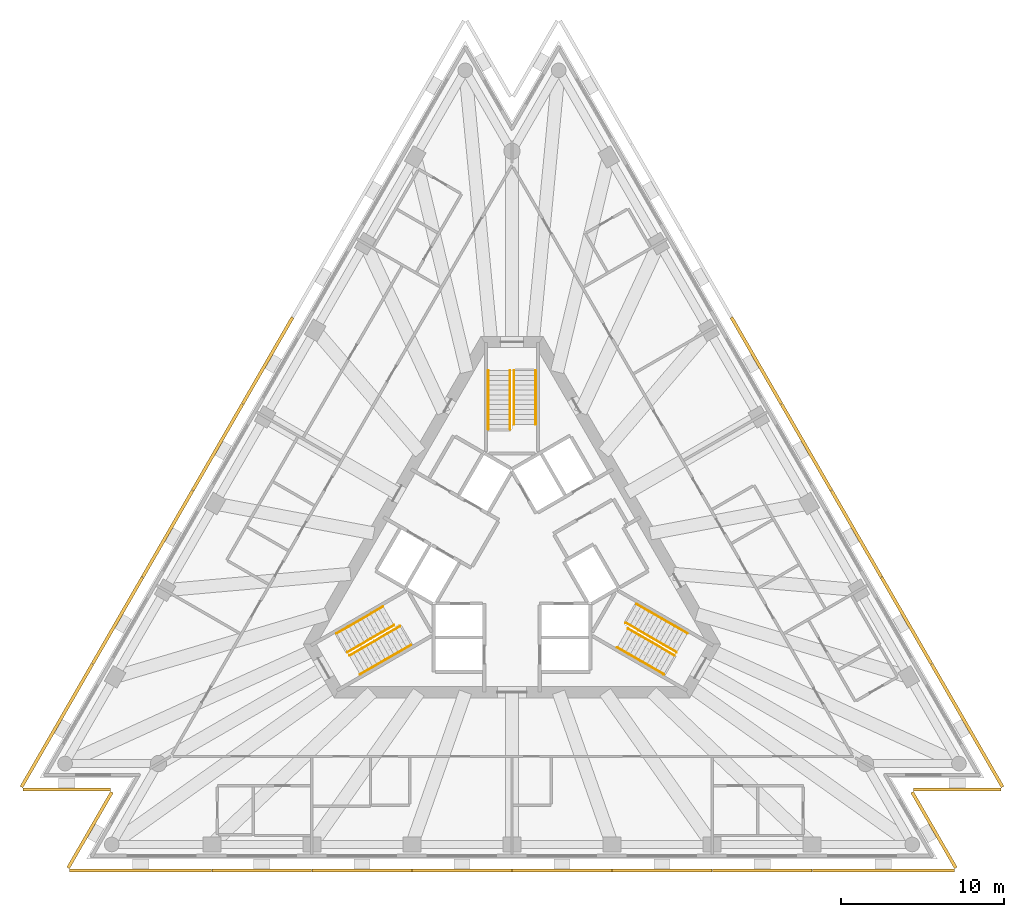
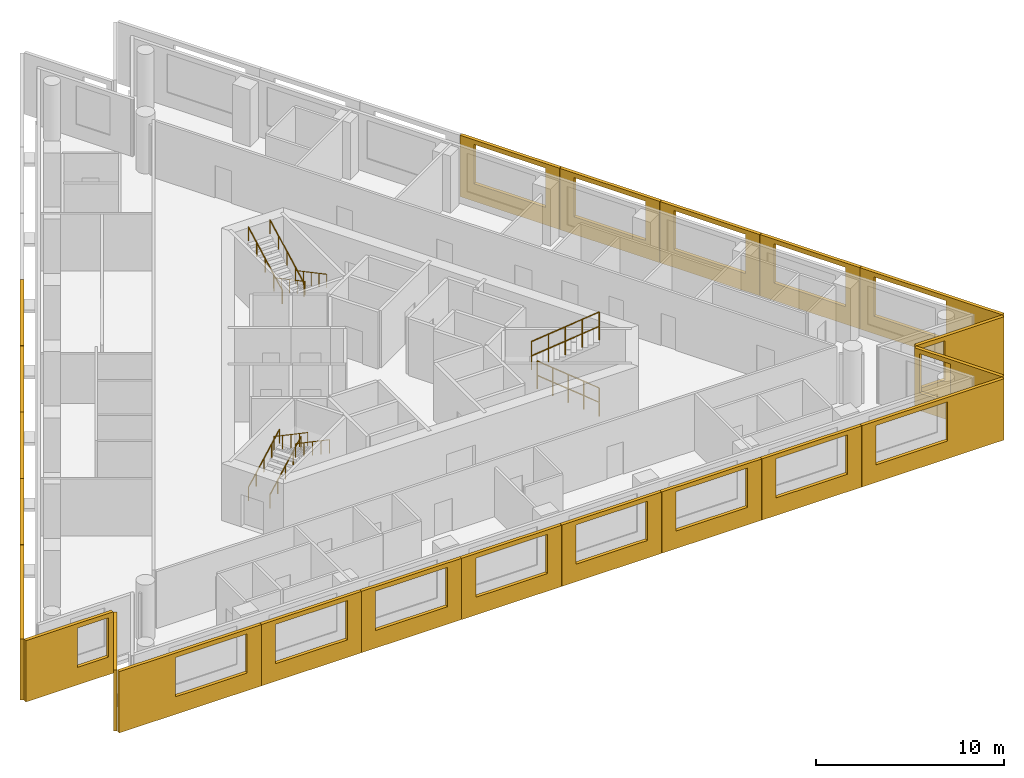
# One storey, part 8 of 9: 22 shading devices, 12 railings, 3 elements without a shape of their own.
"""IFC4 building model written with IfcOpenShell, lengths in metres."""

from ifc_helpers import new_model, si_unit, direction, frame, origin, origin_2d, place, context, subcontext, project, spatial, polyline, circle, outline, extrude, material, layer, layer_set, type_object, element, aggregate, save


model = new_model("IFC4")

# Units and contexts
model_context = context("Model", 3, precision=1e-05, world=origin(), true_north=direction((0.0, 1.0)))
body_context = subcontext(model_context, "Body", "Model", "MODEL_VIEW")
ifc_project = project(units=[si_unit("LENGTHUNIT", "METRE"), si_unit("AREAUNIT", "SQUARE_METRE"), si_unit("VOLUMEUNIT", "CUBIC_METRE"), si_unit("PLANEANGLEUNIT", "RADIAN"), si_unit("MASSUNIT", "GRAM", prefix="KILO")], contexts=[model_context])

# Site, building, storey
site_placement = place(None, origin())
site = spatial("IfcSite", under=ifc_project, at=site_placement, CompositionType="ELEMENT")
building_placement = place(site_placement, origin())
building = spatial("IfcBuilding", under=site, at=building_placement, Name="Triada Interchange Tower", CompositionType="ELEMENT")
storey_placement = place(building_placement, frame((0.0, 0.0, 207.300048828125)))
storey = spatial("IfcBuildingStorey", under=building, at=storey_placement, Name="L48", CompositionType="ELEMENT", Elevation=207.300048828125)

# Shading devices
ifc_material_1 = material(Name="Concrete C50/60 precast", Category="concrete")
ifc_layer_1 = layer(ifc_material_1, 0.02001953125, Name="Exposed aggregate face")
ifc_layer_2 = layer(ifc_material_1, 0.179931640625, Name="Precast concrete screen")
ifc_layer_set = layer_set([ifc_layer_1, ifc_layer_2], Name="Outer skin screen panel 3980")
shading_device_type = type_object("IfcShadingDeviceType", Name="Outer skin screen panel 3980", PredefinedType="SHUTTER", material=ifc_layer_set)
shading_device_1_placement = place(storey_placement, frame((-13.388916015625, 14.81298828125, -0.2900390625), z_axis=(0.0, 0.0, 1.0), x_axis=(-0.500160695909, -0.865932606077, 0.0)))
element("IfcShadingDevice", 1, at=shading_device_1_placement, inside=storey, type_object=shading_device_type, Name="Outer skin screen panel L48 04", PredefinedType="SHUTTER", context=body_context, shape_type="SweptSolid", body=[
    extrude(outline(polyline([(0.0, 0.0), (6.1240234375, 0.0), (6.1240234375, 3.97998046875), (0.0, 3.97998046875), (0.0, 0.0)]), holes=[polyline([(0.862060546875, 1.139892578125), (0.862060546875, 3.68994140625), (5.261962890625, 3.68994140625), (5.261962890625, 1.139892578125), (0.862060546875, 1.139892578125)])]), frame((0.0, 0.0, 0.0), z_axis=(0.0, -1.0, 0.0), x_axis=(1.0, 0.0, 0.0)), (0.0, 0.0, 1.0), 0.199951171875),
])
shading_device_2_placement = place(storey_placement, frame((-16.4619140625, 9.491943359375, -0.2900390625), z_axis=(0.0, 0.0, 1.0), x_axis=(-0.500041108788, -0.866001668314, 0.0)))
element("IfcShadingDevice", 2, at=shading_device_2_placement, inside=storey, type_object=shading_device_type, Name="Outer skin screen panel L48 05", PredefinedType="SHUTTER", context=body_context, shape_type="SweptSolid", body=[
    extrude(outline(polyline([(0.0, 0.0), (6.12353515625, 0.0), (6.12353515625, 3.97998046875), (0.0, 3.97998046875), (0.0, 0.0)]), holes=[polyline([(0.86181640625, 1.139892578125), (0.86181640625, 3.68994140625), (5.26171875, 3.68994140625), (5.26171875, 1.139892578125), (0.86181640625, 1.139892578125)])]), frame((0.0, 0.0, 0.0), z_axis=(0.0, -1.0, 0.0), x_axis=(1.0, 0.0, 0.0)), (0.0, 0.0, 1.0), 0.199951171875),
])
shading_device_3_placement = place(storey_placement, frame((-19.533935546875, 4.1708984375, -0.2900390625), z_axis=(0.0, 0.0, 1.0), x_axis=(-0.500041108788, -0.866001668314, 0.0)))
element("IfcShadingDevice", 3, at=shading_device_3_placement, inside=storey, type_object=shading_device_type, Name="Outer skin screen panel L48 06", PredefinedType="SHUTTER", context=body_context, shape_type="SweptSolid", body=[
    extrude(outline(polyline([(0.0, 0.0), (6.12353515625, 0.0), (6.12353515625, 3.97998046875), (0.0, 3.97998046875), (0.0, 0.0)]), holes=[polyline([(0.861572265625, 1.139892578125), (0.861572265625, 3.68994140625), (5.26171875, 3.68994140625), (5.26171875, 1.139892578125), (0.861572265625, 1.139892578125)])]), frame((0.0, 0.0, 0.0), z_axis=(0.0, -1.0, 0.0), x_axis=(1.0, 0.0, 0.0)), (0.0, 0.0, 1.0), 0.199951171875),
])
shading_device_4_placement = place(storey_placement, frame((-22.60595703125, -1.14990234375, -0.2900390625), z_axis=(0.0, 0.0, 1.0), x_axis=(-0.500041108788, -0.866001668314, 0.0)))
element("IfcShadingDevice", 4, at=shading_device_4_placement, inside=storey, type_object=shading_device_type, Name="Outer skin screen panel L48 07", PredefinedType="SHUTTER", context=body_context, shape_type="SweptSolid", body=[
    extrude(outline(polyline([(0.0, 0.0), (6.12353515625, 0.0), (6.12353515625, 3.97998046875), (0.0, 3.97998046875), (0.0, 0.0)]), holes=[polyline([(0.8623046875, 1.139892578125), (0.8623046875, 3.68994140625), (5.262451171875, 3.68994140625), (5.262451171875, 1.139892578125), (0.8623046875, 1.139892578125)])]), frame((0.0, 0.0, 0.0), z_axis=(0.0, -1.0, 0.0), x_axis=(1.0, 0.0, 0.0)), (0.0, 0.0, 1.0), 0.199951171875),
])
shading_device_5_placement = place(storey_placement, frame((-25.677978515625, -6.470947265625, -0.2900390625), z_axis=(0.0, 0.0, 1.0), x_axis=(-0.500031800419, -0.866007043025, 0.0)))
element("IfcShadingDevice", 5, at=shading_device_5_placement, inside=storey, type_object=shading_device_type, Name="Outer skin screen panel L48 08", PredefinedType="SHUTTER", context=body_context, shape_type="SweptSolid", body=[
    extrude(outline(polyline([(0.0, 0.0), (8.7216796875, 0.0), (8.7216796875, 3.97998046875), (0.0, 3.97998046875), (0.0, 0.0)]), holes=[polyline([(0.8623046875, 1.139892578125), (0.8623046875, 3.68994140625), (5.26220703125, 3.68994140625), (5.26220703125, 1.139892578125), (0.8623046875, 1.139892578125)])]), frame((0.0, 0.0, 0.0), z_axis=(0.0, -1.0, 0.0), x_axis=(1.0, 0.0, 0.0)), (0.0, 0.0, 1.0), 0.199951171875),
])
shading_device_6_placement = place(storey_placement, frame((-30.033935546875, -14.032958984375, -0.2900390625), z_axis=(0.0, 0.0, 1.0), x_axis=(1.0, 0.0, 0.0)))
element("IfcShadingDevice", 6, at=shading_device_6_placement, inside=storey, type_object=shading_device_type, Name="Outer skin screen panel L48 09", PredefinedType="SHUTTER", context=body_context, shape_type="SweptSolid", body=[
    extrude(outline(polyline([(0.0, 0.0), (5.370849609375, 0.0), (5.370849609375, 3.97998046875), (0.0, 3.97998046875), (0.0, 0.0)]), holes=[polyline([(3.175048828125, 1.139892578125), (3.175048828125, 3.68994140625), (5.071044921875, 3.68994140625), (5.071044921875, 1.139892578125), (3.175048828125, 1.139892578125)])]), frame((0.0, 0.0, 0.0), z_axis=(0.0, -1.0, 0.0), x_axis=(1.0, 0.0, 0.0)), (0.0, 0.0, 1.0), 0.199951171875),
])
shading_device_7_placement = place(storey_placement, frame((-24.485107421875, -14.342041015625, -0.2900390625), z_axis=(0.0, 0.0, 1.0), x_axis=(-0.499948082557, -0.866055376259, 0.0)))
element("IfcShadingDevice", 7, at=shading_device_7_placement, inside=storey, type_object=shading_device_type, Name="Outer skin screen panel L48 10", PredefinedType="SHUTTER", context=body_context, shape_type="SweptSolid", body=[
    extrude(outline(polyline([(0.0, 0.0), (5.3701171875, 0.0), (5.3701171875, 3.97998046875), (0.0, 3.97998046875), (0.0, 0.0)]), holes=[polyline([(0.300048828125, 1.139892578125), (0.300048828125, 3.68994140625), (1.7578125, 3.68994140625), (1.7578125, 1.139892578125), (0.300048828125, 1.139892578125)])]), frame((0.0, 0.0, 0.0), z_axis=(0.0, -1.0, 0.0), x_axis=(1.0, 0.0, 0.0)), (0.0, 0.0, 1.0), 0.199951171875),
])
shading_device_8_placement = place(storey_placement, frame((-27.1650390625, -19.001953125, -0.2900390625), z_axis=(0.0, 0.0, 1.0), x_axis=(1.0, 0.0, 0.0)))
element("IfcShadingDevice", 8, at=shading_device_8_placement, inside=storey, type_object=shading_device_type, Name="Outer skin screen panel L48 11", PredefinedType="SHUTTER", context=body_context, shape_type="SweptSolid", body=[
    extrude(outline(polyline([(0.0, 0.0), (8.721923828125, 0.0), (8.721923828125, 3.97998046875), (0.0, 3.97998046875), (0.0, 0.0)]), holes=[polyline([(3.4599609375, 1.139892578125), (3.4599609375, 3.68994140625), (7.860107421875, 3.68994140625), (7.860107421875, 1.139892578125), (3.4599609375, 1.139892578125)])]), frame((0.0, 0.0, 0.0), z_axis=(0.0, -1.0, 0.0), x_axis=(1.0, 0.0, 0.0)), (0.0, 0.0, 1.0), 0.199951171875),
])
shading_device_9_placement = place(storey_placement, frame((-18.423095703125, -19.001953125, -0.2900390625), z_axis=(0.0, 0.0, 1.0), x_axis=(1.0, 0.0, 0.0)))
element("IfcShadingDevice", 9, at=shading_device_9_placement, inside=storey, type_object=shading_device_type, Name="Outer skin screen panel L48 12", PredefinedType="SHUTTER", context=body_context, shape_type="SweptSolid", body=[
    extrude(outline(polyline([(0.0, 0.0), (6.125, 0.0), (6.125, 3.97998046875), (0.0, 3.97998046875), (0.0, 0.0)]), holes=[polyline([(0.86181640625, 1.139892578125), (0.86181640625, 3.68994140625), (5.26171875, 3.68994140625), (5.26171875, 1.139892578125), (0.86181640625, 1.139892578125)])]), frame((0.0, 0.0, 0.0), z_axis=(0.0, -1.0, 0.0), x_axis=(1.0, 0.0, 0.0)), (0.0, 0.0, 1.0), 0.199951171875),
])
shading_device_10_placement = place(storey_placement, frame((-12.279052734375, -19.001953125, -0.2900390625), z_axis=(0.0, 0.0, 1.0), x_axis=(1.0, 0.0, 0.0)))
element("IfcShadingDevice", 10, at=shading_device_10_placement, inside=storey, type_object=shading_device_type, Name="Outer skin screen panel L48 13", PredefinedType="SHUTTER", context=body_context, shape_type="SweptSolid", body=[
    extrude(outline(polyline([(0.0, 0.0), (6.125, 0.0), (6.125, 3.97998046875), (0.0, 3.97998046875), (0.0, 0.0)]), holes=[polyline([(0.862548828125, 1.139892578125), (0.862548828125, 3.68994140625), (5.262451171875, 3.68994140625), (5.262451171875, 1.139892578125), (0.862548828125, 1.139892578125)])]), frame((0.0, 0.0, 0.0), z_axis=(0.0, -1.0, 0.0), x_axis=(1.0, 0.0, 0.0)), (0.0, 0.0, 1.0), 0.199951171875),
])
shading_device_11_placement = place(storey_placement, frame((-6.134033203125, -19.001953125, -0.2900390625), z_axis=(0.0, 0.0, 1.0), x_axis=(1.0, 0.0, 0.0)))
element("IfcShadingDevice", 11, at=shading_device_11_placement, inside=storey, type_object=shading_device_type, Name="Outer skin screen panel L48 14", PredefinedType="SHUTTER", context=body_context, shape_type="SweptSolid", body=[
    extrude(outline(polyline([(0.0, 0.0), (6.1240234375, 0.0), (6.1240234375, 3.97998046875), (0.0, 3.97998046875), (0.0, 0.0)]), holes=[polyline([(0.8623046875, 1.139892578125), (0.8623046875, 3.68994140625), (5.26220703125, 3.68994140625), (5.26220703125, 1.139892578125), (0.8623046875, 1.139892578125)])]), frame((0.0, 0.0, 0.0), z_axis=(0.0, -1.0, 0.0), x_axis=(1.0, 0.0, 0.0)), (0.0, 0.0, 1.0), 0.199951171875),
])
shading_device_12_placement = place(storey_placement, frame((0.010009765625, -19.001953125, -0.2900390625), z_axis=(0.0, 0.0, 1.0), x_axis=(1.0, 0.0, 0.0)))
element("IfcShadingDevice", 12, at=shading_device_12_placement, inside=storey, type_object=shading_device_type, Name="Outer skin screen panel L48 15", PredefinedType="SHUTTER", context=body_context, shape_type="SweptSolid", body=[
    extrude(outline(polyline([(0.0, 0.0), (6.1240234375, 0.0), (6.1240234375, 3.97998046875), (0.0, 3.97998046875), (0.0, 0.0)]), holes=[polyline([(0.862060546875, 1.139892578125), (0.862060546875, 3.68994140625), (5.261962890625, 3.68994140625), (5.261962890625, 1.139892578125), (0.862060546875, 1.139892578125)])]), frame((0.0, 0.0, 0.0), z_axis=(0.0, -1.0, 0.0), x_axis=(1.0, 0.0, 0.0)), (0.0, 0.0, 1.0), 0.199951171875),
])
shading_device_13_placement = place(storey_placement, frame((6.154052734375, -19.001953125, -0.2900390625), z_axis=(0.0, 0.0, 1.0), x_axis=(1.0, 0.0, 0.0)))
element("IfcShadingDevice", 13, at=shading_device_13_placement, inside=storey, type_object=shading_device_type, Name="Outer skin screen panel L48 16", PredefinedType="SHUTTER", context=body_context, shape_type="SweptSolid", body=[
    extrude(outline(polyline([(0.0, 0.0), (6.125, 0.0), (6.125, 3.97998046875), (0.0, 3.97998046875), (0.0, 0.0)]), holes=[polyline([(0.86181640625, 1.139892578125), (0.86181640625, 3.68994140625), (5.26171875, 3.68994140625), (5.26171875, 1.139892578125), (0.86181640625, 1.139892578125)])]), frame((0.0, 0.0, 0.0), z_axis=(0.0, -1.0, 0.0), x_axis=(1.0, 0.0, 0.0)), (0.0, 0.0, 1.0), 0.199951171875),
])
shading_device_14_placement = place(storey_placement, frame((12.298095703125, -19.001953125, -0.2900390625), z_axis=(0.0, 0.0, 1.0), x_axis=(1.0, 0.0, 0.0)))
element("IfcShadingDevice", 14, at=shading_device_14_placement, inside=storey, type_object=shading_device_type, Name="Outer skin screen panel L48 17", PredefinedType="SHUTTER", context=body_context, shape_type="SweptSolid", body=[
    extrude(outline(polyline([(0.0, 0.0), (6.125, 0.0), (6.125, 3.97998046875), (0.0, 3.97998046875), (0.0, 0.0)]), holes=[polyline([(0.862548828125, 1.139892578125), (0.862548828125, 3.68994140625), (5.262451171875, 3.68994140625), (5.262451171875, 1.139892578125), (0.862548828125, 1.139892578125)])]), frame((0.0, 0.0, 0.0), z_axis=(0.0, -1.0, 0.0), x_axis=(1.0, 0.0, 0.0)), (0.0, 0.0, 1.0), 0.199951171875),
])
shading_device_15_placement = place(storey_placement, frame((18.443115234375, -19.001953125, -0.2900390625), z_axis=(0.0, 0.0, 1.0), x_axis=(1.0, 0.0, 0.0)))
element("IfcShadingDevice", 15, at=shading_device_15_placement, inside=storey, type_object=shading_device_type, Name="Outer skin screen panel L48 18", PredefinedType="SHUTTER", context=body_context, shape_type="SweptSolid", body=[
    extrude(outline(polyline([(0.0, 0.0), (8.721923828125, 0.0), (8.721923828125, 3.97998046875), (0.0, 3.97998046875), (0.0, 0.0)]), holes=[polyline([(0.8623046875, 1.139892578125), (0.8623046875, 3.68994140625), (5.26220703125, 3.68994140625), (5.26220703125, 1.139892578125), (0.8623046875, 1.139892578125)])]), frame((0.0, 0.0, 0.0), z_axis=(0.0, -1.0, 0.0), x_axis=(1.0, 0.0, 0.0)), (0.0, 0.0, 1.0), 0.199951171875),
])
shading_device_16_placement = place(storey_placement, frame((27.169921875, -18.992919921875, -0.2900390625), z_axis=(0.0, 0.0, 1.0), x_axis=(-0.499948082557, 0.866055376259, 0.0)))
element("IfcShadingDevice", 16, at=shading_device_16_placement, inside=storey, type_object=shading_device_type, Name="Outer skin screen panel L48 19", PredefinedType="SHUTTER", context=body_context, shape_type="SweptSolid", body=[
    extrude(outline(polyline([(0.0, 0.0), (5.3701171875, 0.0), (5.3701171875, 3.97998046875), (0.0, 3.97998046875), (0.0, 0.0)]), holes=[polyline([(3.17529296875, 1.139892578125), (3.17529296875, 3.68994140625), (5.071044921875, 3.68994140625), (5.071044921875, 1.139892578125), (3.17529296875, 1.139892578125)])]), frame((0.0, 0.0, 0.0), z_axis=(0.0, -1.0, 0.0), x_axis=(1.0, 0.0, 0.0)), (0.0, 0.0, 1.0), 0.199951171875),
])
shading_device_17_placement = place(storey_placement, frame((24.6630859375, -14.032958984375, -0.2900390625), z_axis=(0.0, 0.0, 1.0), x_axis=(1.0, 0.0, 0.0)))
element("IfcShadingDevice", 17, at=shading_device_17_placement, inside=storey, type_object=shading_device_type, Name="Outer skin screen panel L48 20", PredefinedType="SHUTTER", context=body_context, shape_type="SweptSolid", body=[
    extrude(outline(polyline([(0.0, 0.0), (5.370849609375, 0.0), (5.370849609375, 3.97998046875), (0.0, 3.97998046875), (0.0, 0.0)]), holes=[polyline([(0.300048828125, 1.139892578125), (0.300048828125, 3.68994140625), (1.758056640625, 3.68994140625), (1.758056640625, 1.139892578125), (0.300048828125, 1.139892578125)])]), frame((0.0, 0.0, 0.0), z_axis=(0.0, -1.0, 0.0), x_axis=(1.0, 0.0, 0.0)), (0.0, 0.0, 1.0), 0.199951171875),
])
shading_device_18_placement = place(storey_placement, frame((30.0390625, -14.02392578125, -0.2900390625), z_axis=(0.0, 0.0, 1.0), x_axis=(-0.500031800419, 0.866007043025, 0.0)))
element("IfcShadingDevice", 18, at=shading_device_18_placement, inside=storey, type_object=shading_device_type, Name="Outer skin screen panel L48 21", PredefinedType="SHUTTER", context=body_context, shape_type="SweptSolid", body=[
    extrude(outline(polyline([(0.0, 0.0), (8.7216796875, 0.0), (8.7216796875, 3.97998046875), (0.0, 3.97998046875), (0.0, 0.0)]), holes=[polyline([(3.460205078125, 1.139892578125), (3.460205078125, 3.68994140625), (7.8603515625, 3.68994140625), (7.8603515625, 1.139892578125), (3.460205078125, 1.139892578125)])]), frame((0.0, 0.0, 0.0), z_axis=(0.0, -1.0, 0.0), x_axis=(1.0, 0.0, 0.0)), (0.0, 0.0, 1.0), 0.199951171875),
])
shading_device_19_placement = place(storey_placement, frame((25.66796875, -6.452880859375, -0.2900390625), z_axis=(0.0, 0.0, 1.0), x_axis=(-0.500041108788, 0.866001668314, 0.0)))
element("IfcShadingDevice", 19, at=shading_device_19_placement, inside=storey, type_object=shading_device_type, Name="Outer skin screen panel L48 22", PredefinedType="SHUTTER", context=body_context, shape_type="SweptSolid", body=[
    extrude(outline(polyline([(0.0, 0.0), (6.12353515625, 0.0), (6.12353515625, 3.97998046875), (0.0, 3.97998046875), (0.0, 0.0)]), holes=[polyline([(0.862060546875, 1.139892578125), (0.862060546875, 3.68994140625), (5.261962890625, 3.68994140625), (5.261962890625, 1.139892578125), (0.862060546875, 1.139892578125)])]), frame((0.0, 0.0, 0.0), z_axis=(0.0, -1.0, 0.0), x_axis=(1.0, 0.0, 0.0)), (0.0, 0.0, 1.0), 0.199951171875),
])
shading_device_20_placement = place(storey_placement, frame((22.595947265625, -1.132080078125, -0.2900390625), z_axis=(0.0, 0.0, 1.0), x_axis=(-0.500041108788, 0.866001668314, 0.0)))
element("IfcShadingDevice", 20, at=shading_device_20_placement, inside=storey, type_object=shading_device_type, Name="Outer skin screen panel L48 23", PredefinedType="SHUTTER", context=body_context, shape_type="SweptSolid", body=[
    extrude(outline(polyline([(0.0, 0.0), (6.12353515625, 0.0), (6.12353515625, 3.97998046875), (0.0, 3.97998046875), (0.0, 0.0)]), holes=[polyline([(0.86181640625, 1.139892578125), (0.86181640625, 3.68994140625), (5.261962890625, 3.68994140625), (5.261962890625, 1.139892578125), (0.86181640625, 1.139892578125)])]), frame((0.0, 0.0, 0.0), z_axis=(0.0, -1.0, 0.0), x_axis=(1.0, 0.0, 0.0)), (0.0, 0.0, 1.0), 0.199951171875),
])
shading_device_21_placement = place(storey_placement, frame((19.52392578125, 4.18896484375, -0.2900390625), z_axis=(0.0, 0.0, 1.0), x_axis=(-0.500041108788, 0.866001668314, 0.0)))
element("IfcShadingDevice", 21, at=shading_device_21_placement, inside=storey, type_object=shading_device_type, Name="Outer skin screen panel L48 24", PredefinedType="SHUTTER", context=body_context, shape_type="SweptSolid", body=[
    extrude(outline(polyline([(0.0, 0.0), (6.12353515625, 0.0), (6.12353515625, 3.97998046875), (0.0, 3.97998046875), (0.0, 0.0)]), holes=[polyline([(0.86181640625, 1.139892578125), (0.86181640625, 3.68994140625), (5.26171875, 3.68994140625), (5.26171875, 1.139892578125), (0.86181640625, 1.139892578125)])]), frame((0.0, 0.0, 0.0), z_axis=(0.0, -1.0, 0.0), x_axis=(1.0, 0.0, 0.0)), (0.0, 0.0, 1.0), 0.199951171875),
])
shading_device_22_placement = place(storey_placement, frame((16.451904296875, 9.510009765625, -0.2900390625), z_axis=(0.0, 0.0, 1.0), x_axis=(-0.500160695909, 0.865932606077, 0.0)))
element("IfcShadingDevice", 22, at=shading_device_22_placement, inside=storey, type_object=shading_device_type, Name="Outer skin screen panel L48 25", PredefinedType="SHUTTER", context=body_context, shape_type="SweptSolid", body=[
    extrude(outline(polyline([(0.0, 0.0), (6.1240234375, 0.0), (6.1240234375, 3.97998046875), (0.0, 3.97998046875), (0.0, 0.0)]), holes=[polyline([(0.862548828125, 1.139892578125), (0.862548828125, 3.68994140625), (5.262451171875, 3.68994140625), (5.262451171875, 1.139892578125), (0.862548828125, 1.139892578125)])]), frame((0.0, 0.0, 0.0), z_axis=(0.0, -1.0, 0.0), x_axis=(1.0, 0.0, 0.0)), (0.0, 0.0, 1.0), 0.199951171875),
])

# Stair, railings
ifc_material_2 = material(Name="Concrete C35/45", Category="concrete")
stair_type = type_object("IfcStairType", Name="HALF TURN STAIR 1400", PredefinedType="HALF_TURN_STAIR", material=ifc_material_2)
stair_1_placement = place(storey_placement, origin())
stair_1 = element("IfcStair", 23, at=stair_1_placement, inside=storey, type_object=stair_type, Name="Exit stair S47-1", PredefinedType="HALF_TURN_STAIR")
ifc_material_3 = material(Name="Stainless steel 1.4301", Category="steel")
railing_type = type_object("IfcRailingType", Name="STAIR HANDRAIL 900", PredefinedType="HANDRAIL", material=ifc_material_3)
railing_1_placement = place(storey_placement, frame((1.449951171875, 11.60009765625, 0.159912109375)))
railing_1 = element("IfcRailing", 24, at=railing_1_placement, type_object=railing_type, Name="Handrail S47-1 1W", PredefinedType="HANDRAIL", context=body_context, shape_type="SweptSolid", body=[
    extrude(circle(Radius=0.02392578125, at=origin_2d()), frame((0.0, 0.0, 0.8759765625), z_axis=(0.0, -0.882354748157, 0.47058484719), x_axis=(1.0, 0.0, 0.0)), (0.0, 0.0, 1.0), 3.739990234375),
    extrude(circle(Radius=0.02099609375, at=origin_2d()), origin(), (0.0, 0.0, 1.0), 0.851806640625),
    extrude(circle(Radius=0.02099609375, at=origin_2d()), frame((0.0, -0.824951171875, 0.43994140625)), (0.0, 0.0, 1.0), 0.851806640625),
    extrude(circle(Radius=0.02099609375, at=origin_2d()), frame((0.0, -1.64990234375, 0.8798828125)), (0.0, 0.0, 1.0), 0.851806640625),
    extrude(circle(Radius=0.02099609375, at=origin_2d()), frame((0.0, -2.47509765625, 1.320068359375)), (0.0, 0.0, 1.0), 0.851806640625),
    extrude(circle(Radius=0.02099609375, at=origin_2d()), frame((0.0, -3.300048828125, 1.760009765625)), (0.0, 0.0, 1.0), 0.851806640625),
])
railing_2_placement = place(storey_placement, frame((0.1201171875, 11.60009765625, 0.159912109375)))
railing_2 = element("IfcRailing", 25, at=railing_2_placement, type_object=railing_type, Name="Handrail S47-1 1C", PredefinedType="HANDRAIL", context=body_context, shape_type="SweptSolid", body=[
    extrude(circle(Radius=0.02392578125, at=origin_2d()), frame((0.0, 0.0, 0.8759765625), z_axis=(0.0, -0.882354748157, 0.47058484719), x_axis=(1.0, 0.0, 0.0)), (0.0, 0.0, 1.0), 3.739990234375),
    extrude(circle(Radius=0.02099609375, at=origin_2d()), origin(), (0.0, 0.0, 1.0), 0.851806640625),
    extrude(circle(Radius=0.02099609375, at=origin_2d()), frame((0.0, -0.824951171875, 0.43994140625)), (0.0, 0.0, 1.0), 0.851806640625),
    extrude(circle(Radius=0.02099609375, at=origin_2d()), frame((0.0, -1.64990234375, 0.8798828125)), (0.0, 0.0, 1.0), 0.851806640625),
    extrude(circle(Radius=0.02099609375, at=origin_2d()), frame((0.0, -2.47509765625, 1.320068359375)), (0.0, 0.0, 1.0), 0.851806640625),
    extrude(circle(Radius=0.02099609375, at=origin_2d()), frame((0.0, -3.300048828125, 1.760009765625)), (0.0, 0.0, 1.0), 0.851806640625),
])
railing_3_placement = place(storey_placement, frame((-1.449951171875, 8.0, 2.079833984375)))
railing_3 = element("IfcRailing", 26, at=railing_3_placement, type_object=railing_type, Name="Handrail S47-1 2W", PredefinedType="HANDRAIL", context=body_context, shape_type="SweptSolid", body=[
    extrude(circle(Radius=0.02392578125, at=origin_2d()), frame((0.0, 0.0, 0.8759765625), z_axis=(0.0, 0.882341346394, 0.470609974867), x_axis=(-1.0, 0.0, 0.0)), (0.0, 0.0, 1.0), 4.080078125),
    extrude(circle(Radius=0.02099609375, at=origin_2d()), origin(), (0.0, 0.0, 1.0), 0.851806640625),
    extrude(circle(Radius=0.02099609375, at=origin_2d()), frame((0.0, 0.89990234375, 0.47998046875)), (0.0, 0.0, 1.0), 0.851806640625),
    extrude(circle(Radius=0.02099609375, at=origin_2d()), frame((0.0, 1.800048828125, 0.9599609375)), (0.0, 0.0, 1.0), 0.851806640625),
    extrude(circle(Radius=0.02099609375, at=origin_2d()), frame((0.0, 2.7001953125, 1.440185546875)), (0.0, 0.0, 1.0), 0.851806640625),
    extrude(circle(Radius=0.02099609375, at=origin_2d()), frame((0.0, 3.60009765625, 1.920166015625)), (0.0, 0.0, 1.0), 0.851806640625),
])
railing_4_placement = place(storey_placement, frame((-0.1201171875, 8.0, 2.079833984375)))
railing_4 = element("IfcRailing", 27, at=railing_4_placement, type_object=railing_type, Name="Handrail S47-1 2C", PredefinedType="HANDRAIL", context=body_context, shape_type="SweptSolid", body=[
    extrude(circle(Radius=0.02392578125, at=origin_2d()), frame((0.0, 0.0, 0.8759765625), z_axis=(0.0, 0.882341346394, 0.470609974867), x_axis=(-1.0, 0.0, 0.0)), (0.0, 0.0, 1.0), 4.080078125),
    extrude(circle(Radius=0.02099609375, at=origin_2d()), origin(), (0.0, 0.0, 1.0), 0.851806640625),
    extrude(circle(Radius=0.02099609375, at=origin_2d()), frame((0.0, 0.89990234375, 0.47998046875)), (0.0, 0.0, 1.0), 0.851806640625),
    extrude(circle(Radius=0.02099609375, at=origin_2d()), frame((0.0, 1.800048828125, 0.9599609375)), (0.0, 0.0, 1.0), 0.851806640625),
    extrude(circle(Radius=0.02099609375, at=origin_2d()), frame((0.0, 2.7001953125, 1.440185546875)), (0.0, 0.0, 1.0), 0.851806640625),
    extrude(circle(Radius=0.02099609375, at=origin_2d()), frame((0.0, 3.60009765625, 1.920166015625)), (0.0, 0.0, 1.0), 0.851806640625),
])
aggregate(stair_1, [railing_1, railing_2, railing_3, railing_4])

stair_2_placement = place(storey_placement, origin())
stair_2 = element("IfcStair", 28, at=stair_2_placement, inside=storey, type_object=stair_type, Name="Exit stair S47-2", PredefinedType="HALF_TURN_STAIR")
railing_5_placement = place(storey_placement, frame((-10.77099609375, -4.5439453125, 0.159912109375)))
railing_5 = element("IfcRailing", 29, at=railing_5_placement, type_object=railing_type, Name="Handrail S47-2 1W", PredefinedType="HANDRAIL", context=body_context, shape_type="SweptSolid", body=[
    extrude(circle(Radius=0.02392578125, at=origin_2d()), frame((0.0, 0.0, 0.8759765625), z_axis=(0.764150854273, 0.441152526326, 0.470593158077), x_axis=(-0.499974350878, 0.866040211805, 0.0)), (0.0, 0.0, 1.0), 3.739990234375),
    extrude(circle(Radius=0.02099609375, at=origin_2d()), origin(), (0.0, 0.0, 1.0), 0.851806640625),
    extrude(circle(Radius=0.02099609375, at=origin_2d()), frame((0.71435546875, 0.41259765625, 0.43994140625)), (0.0, 0.0, 1.0), 0.851806640625),
    extrude(circle(Radius=0.02099609375, at=origin_2d()), frame((1.428955078125, 0.824951171875, 0.8798828125)), (0.0, 0.0, 1.0), 0.851806640625),
    extrude(circle(Radius=0.02099609375, at=origin_2d()), frame((2.1435546875, 1.2373046875, 1.320068359375)), (0.0, 0.0, 1.0), 0.851806640625),
    extrude(circle(Radius=0.02099609375, at=origin_2d()), frame((2.85791015625, 1.64990234375, 1.760009765625)), (0.0, 0.0, 1.0), 0.851806640625),
])
railing_6_placement = place(storey_placement, frame((-10.10595703125, -5.696044921875, 0.159912109375)))
railing_6 = element("IfcRailing", 30, at=railing_6_placement, type_object=railing_type, Name="Handrail S47-2 1C", PredefinedType="HANDRAIL", context=body_context, shape_type="SweptSolid", body=[
    extrude(circle(Radius=0.02392578125, at=origin_2d()), frame((0.0, 0.0, 0.8759765625), z_axis=(0.76412884773, 0.441205098395, 0.470579605611), x_axis=(-0.50002983664, 0.866008176907, 0.0)), (0.0, 0.0, 1.0), 3.739990234375),
    extrude(circle(Radius=0.02099609375, at=origin_2d()), origin(), (0.0, 0.0, 1.0), 0.851806640625),
    extrude(circle(Radius=0.02099609375, at=origin_2d()), frame((0.71435546875, 0.41259765625, 0.43994140625)), (0.0, 0.0, 1.0), 0.851806640625),
    extrude(circle(Radius=0.02099609375, at=origin_2d()), frame((1.428955078125, 0.8251953125, 0.8798828125)), (0.0, 0.0, 1.0), 0.851806640625),
    extrude(circle(Radius=0.02099609375, at=origin_2d()), frame((2.1435546875, 1.237548828125, 1.320068359375)), (0.0, 0.0, 1.0), 0.851806640625),
    extrude(circle(Radius=0.02099609375, at=origin_2d()), frame((2.85791015625, 1.650146484375, 1.760009765625)), (0.0, 0.0, 1.0), 0.851806640625),
])
railing_7_placement = place(storey_placement, frame((-6.202880859375, -5.256103515625, 2.079833984375)))
railing_7 = element("IfcRailing", 31, at=railing_7_placement, type_object=railing_type, Name="Handrail S47-2 2W", PredefinedType="HANDRAIL", context=body_context, shape_type="SweptSolid", body=[
    extrude(circle(Radius=0.02392578125, at=origin_2d()), frame((0.0, 0.0, 0.8759765625), z_axis=(-0.764189758314, -0.441090424232, 0.470588196769), x_axis=(0.499902469156, -0.866081705922, 0.0)), (0.0, 0.0, 1.0), 4.080322265625),
    extrude(circle(Radius=0.02099609375, at=origin_2d()), origin(), (0.0, 0.0, 1.0), 0.851806640625),
    extrude(circle(Radius=0.02099609375, at=origin_2d()), frame((-0.779541015625, -0.449951171875, 0.47998046875)), (0.0, 0.0, 1.0), 0.851806640625),
    extrude(circle(Radius=0.02099609375, at=origin_2d()), frame((-1.55908203125, -0.89990234375, 0.9599609375)), (0.0, 0.0, 1.0), 0.851806640625),
    extrude(circle(Radius=0.02099609375, at=origin_2d()), frame((-2.338623046875, -1.349853515625, 1.440185546875)), (0.0, 0.0, 1.0), 0.851806640625),
    extrude(circle(Radius=0.02099609375, at=origin_2d()), frame((-3.1181640625, -1.7998046875, 1.920166015625)), (0.0, 0.0, 1.0), 0.851806640625),
])
railing_8_placement = place(storey_placement, frame((-6.867919921875, -4.10400390625, 2.079833984375)))
railing_8 = element("IfcRailing", 32, at=railing_8_placement, type_object=railing_type, Name="Handrail S47-2 2C", PredefinedType="HANDRAIL", context=body_context, shape_type="SweptSolid", body=[
    extrude(circle(Radius=0.02392578125, at=origin_2d()), frame((0.0, 0.0, 0.8759765625), z_axis=(-0.764169589359, -0.441138614339, 0.470575776723), x_axis=(0.49995333141, -0.866052346231, 0.0)), (0.0, 0.0, 1.0), 4.08056640625),
    extrude(circle(Radius=0.02099609375, at=origin_2d()), origin(), (0.0, 0.0, 1.0), 0.851806640625),
    extrude(circle(Radius=0.02099609375, at=origin_2d()), frame((-0.779541015625, -0.449951171875, 0.47998046875)), (0.0, 0.0, 1.0), 0.851806640625),
    extrude(circle(Radius=0.02099609375, at=origin_2d()), frame((-1.55908203125, -0.89990234375, 0.9599609375)), (0.0, 0.0, 1.0), 0.851806640625),
    extrude(circle(Radius=0.02099609375, at=origin_2d()), frame((-2.338623046875, -1.35009765625, 1.440185546875)), (0.0, 0.0, 1.0), 0.851806640625),
    extrude(circle(Radius=0.02099609375, at=origin_2d()), frame((-3.1181640625, -1.800048828125, 1.920166015625)), (0.0, 0.0, 1.0), 0.851806640625),
])
aggregate(stair_2, [railing_5, railing_6, railing_7, railing_8])

stair_3_placement = place(storey_placement, origin())
stair_3 = element("IfcStair", 33, at=stair_3_placement, inside=storey, type_object=stair_type, Name="Exit stair S47-3", PredefinedType="HALF_TURN_STAIR")
railing_9_placement = place(storey_placement, frame((9.321044921875, -7.055908203125, 0.159912109375)))
railing_9 = element("IfcRailing", 34, at=railing_9_placement, type_object=railing_type, Name="Handrail S47-3 1W", PredefinedType="HANDRAIL", context=body_context, shape_type="SweptSolid", body=[
    extrude(circle(Radius=0.02392578125, at=origin_2d()), frame((0.0, 0.0, 0.8759765625), z_axis=(-0.764178012919, 0.441130521168, 0.470569684388), x_axis=(-0.499942318283, -0.866058703778, 0.0)), (0.0, 0.0, 1.0), 3.740234375),
    extrude(circle(Radius=0.02099609375, at=origin_2d()), origin(), (0.0, 0.0, 1.0), 0.851806640625),
    extrude(circle(Radius=0.02099609375, at=origin_2d()), frame((-0.714599609375, 0.41259765625, 0.43994140625)), (0.0, 0.0, 1.0), 0.851806640625),
    extrude(circle(Radius=0.02099609375, at=origin_2d()), frame((-1.42919921875, 0.824951171875, 0.8798828125)), (0.0, 0.0, 1.0), 0.851806640625),
    extrude(circle(Radius=0.02099609375, at=origin_2d()), frame((-2.1435546875, 1.2373046875, 1.320068359375)), (0.0, 0.0, 1.0), 0.851806640625),
    extrude(circle(Radius=0.02099609375, at=origin_2d()), frame((-2.858154296875, 1.64990234375, 1.760009765625)), (0.0, 0.0, 1.0), 0.851806640625),
])
railing_10_placement = place(storey_placement, frame((9.986083984375, -5.904052734375, 0.159912109375)))
railing_10 = element("IfcRailing", 35, at=railing_10_placement, type_object=railing_type, Name="Handrail S47-3 1C", PredefinedType="HANDRAIL", context=body_context, shape_type="SweptSolid", body=[
    extrude(circle(Radius=0.02392578125, at=origin_2d()), frame((0.0, 0.0, 0.8759765625), z_axis=(-0.764156007789, 0.441183091881, 0.47055613395), x_axis=(-0.49999780286, -0.8660266723, 0.0)), (0.0, 0.0, 1.0), 3.740234375),
    extrude(circle(Radius=0.02099609375, at=origin_2d()), origin(), (0.0, 0.0, 1.0), 0.851806640625),
    extrude(circle(Radius=0.02099609375, at=origin_2d()), frame((-0.714599609375, 0.41259765625, 0.43994140625)), (0.0, 0.0, 1.0), 0.851806640625),
    extrude(circle(Radius=0.02099609375, at=origin_2d()), frame((-1.42919921875, 0.8251953125, 0.8798828125)), (0.0, 0.0, 1.0), 0.851806640625),
    extrude(circle(Radius=0.02099609375, at=origin_2d()), frame((-2.1435546875, 1.237548828125, 1.320068359375)), (0.0, 0.0, 1.0), 0.851806640625),
    extrude(circle(Radius=0.02099609375, at=origin_2d()), frame((-2.858154296875, 1.650146484375, 1.760009765625)), (0.0, 0.0, 1.0), 0.851806640625),
])
railing_11_placement = place(storey_placement, frame((7.653076171875, -2.743896484375, 2.079833984375)))
railing_11 = element("IfcRailing", 36, at=railing_11_placement, type_object=railing_type, Name="Handrail S47-3 2W", PredefinedType="HANDRAIL", context=body_context, shape_type="SweptSolid", body=[
    extrude(circle(Radius=0.02392578125, at=origin_2d()), frame((0.0, 0.0, 0.8759765625), z_axis=(0.76414469501, -0.441158784458, 0.470597292793), x_axis=(0.499982693035, 0.866035395735, 0.0)), (0.0, 0.0, 1.0), 4.080322265625),
    extrude(circle(Radius=0.02099609375, at=origin_2d()), origin(), (0.0, 0.0, 1.0), 0.851806640625),
    extrude(circle(Radius=0.02099609375, at=origin_2d()), frame((0.779541015625, -0.449951171875, 0.47998046875)), (0.0, 0.0, 1.0), 0.851806640625),
    extrude(circle(Radius=0.02099609375, at=origin_2d()), frame((1.55908203125, -0.89990234375, 0.9599609375)), (0.0, 0.0, 1.0), 0.851806640625),
    extrude(circle(Radius=0.02099609375, at=origin_2d()), frame((2.33837890625, -1.35009765625, 1.440185546875)), (0.0, 0.0, 1.0), 0.851806640625),
    extrude(circle(Radius=0.02099609375, at=origin_2d()), frame((3.117919921875, -1.800048828125, 1.920166015625)), (0.0, 0.0, 1.0), 0.851806640625),
])
railing_12_placement = place(storey_placement, frame((6.988037109375, -3.89599609375, 2.079833984375)))
railing_12 = element("IfcRailing", 37, at=railing_12_placement, type_object=railing_type, Name="Handrail S47-3 2C", PredefinedType="HANDRAIL", context=body_context, shape_type="SweptSolid", body=[
    extrude(circle(Radius=0.02392578125, at=origin_2d()), frame((0.0, 0.0, 0.8759765625), z_axis=(0.76414469501, -0.441158784458, 0.470597292793), x_axis=(0.499982693035, 0.866035395735, 0.0)), (0.0, 0.0, 1.0), 4.080322265625),
    extrude(circle(Radius=0.02099609375, at=origin_2d()), origin(), (0.0, 0.0, 1.0), 0.851806640625),
    extrude(circle(Radius=0.02099609375, at=origin_2d()), frame((0.779541015625, -0.449951171875, 0.47998046875)), (0.0, 0.0, 1.0), 0.851806640625),
    extrude(circle(Radius=0.02099609375, at=origin_2d()), frame((1.55908203125, -0.89990234375, 0.9599609375)), (0.0, 0.0, 1.0), 0.851806640625),
    extrude(circle(Radius=0.02099609375, at=origin_2d()), frame((2.33837890625, -1.35009765625, 1.440185546875)), (0.0, 0.0, 1.0), 0.851806640625),
    extrude(circle(Radius=0.02099609375, at=origin_2d()), frame((3.117919921875, -1.800048828125, 1.920166015625)), (0.0, 0.0, 1.0), 0.851806640625),
])
aggregate(stair_3, [railing_9, railing_10, railing_11, railing_12])

save(model, "model.ifc")
